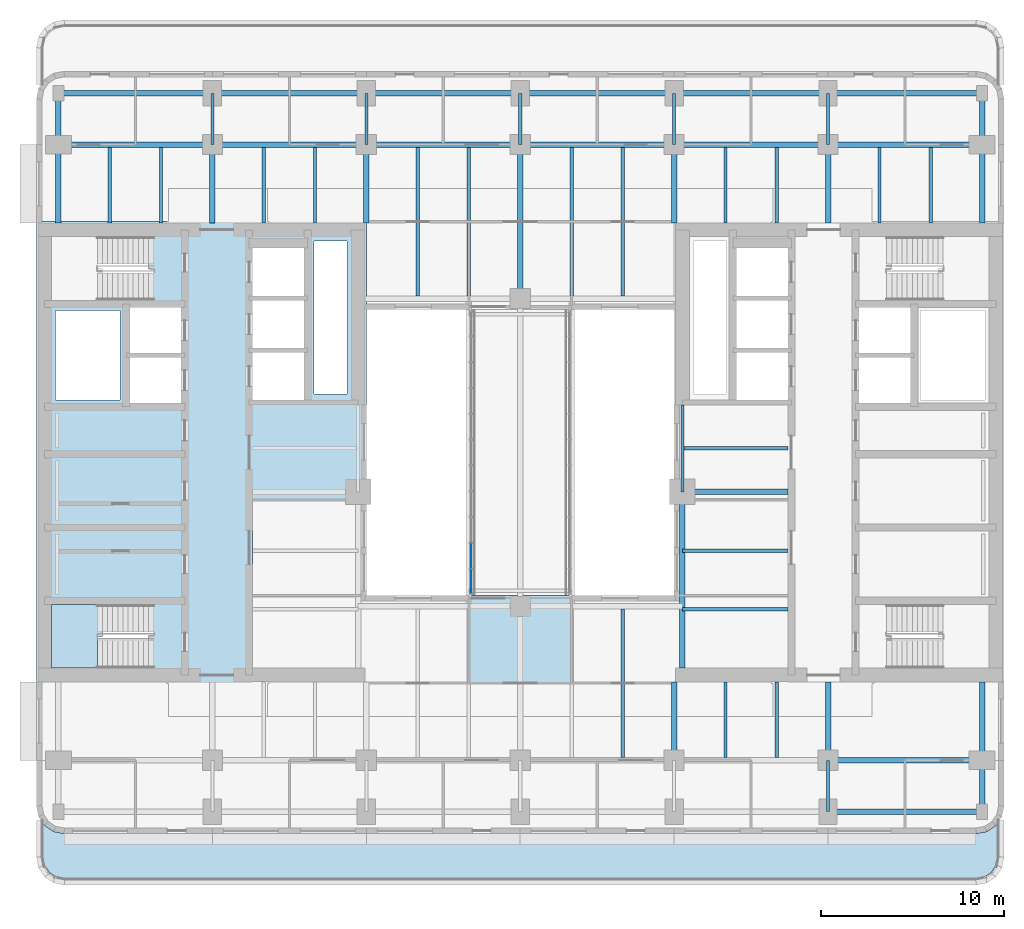
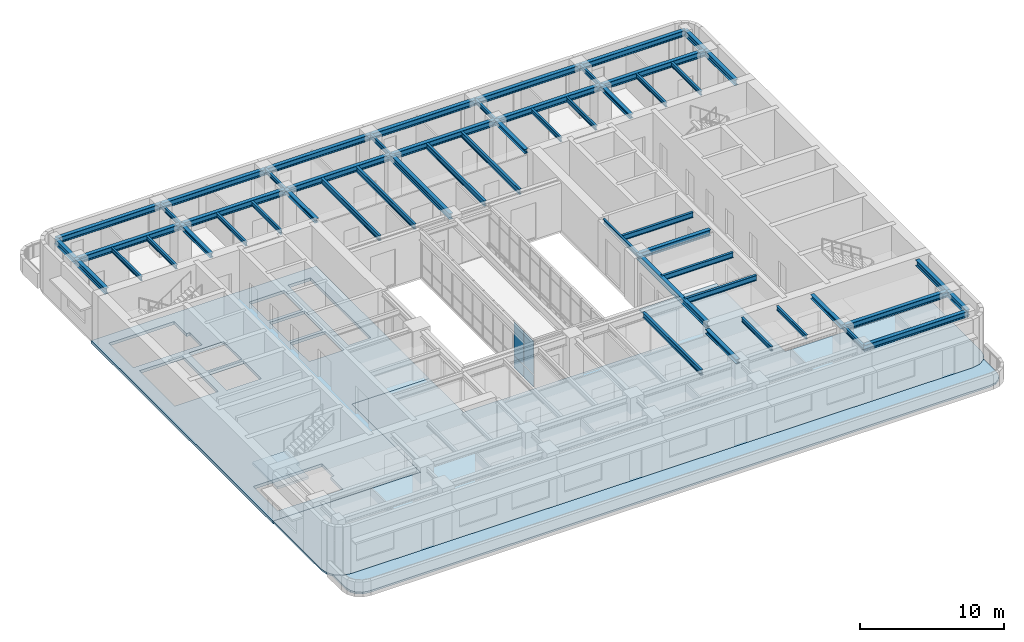
# One storey, part 4 of 15: 54 beams, 4 plates, 4 slabs, 2 elements without a shape of their own.
"""IFC4 building model written with IfcOpenShell, lengths in metres."""

from ifc_helpers import new_model, si_unit, direction, frame, origin, origin_2d, place, context, subcontext, project, spatial, polyline, rectangle, i_section, outline, extrude, material, layer, layer_set, material_profile, profile_set, type_object, element, aggregate, save


model = new_model("IFC4")

# Units and contexts
model_context = context("Model", 3, precision=1e-05, world=origin(), true_north=direction((0.0, 1.0)))
body_context = subcontext(model_context, "Body", "Model", "MODEL_VIEW")
ifc_project = project(units=[si_unit("LENGTHUNIT", "METRE"), si_unit("AREAUNIT", "SQUARE_METRE"), si_unit("VOLUMEUNIT", "CUBIC_METRE"), si_unit("PLANEANGLEUNIT", "RADIAN"), si_unit("MASSUNIT", "GRAM", prefix="KILO")], contexts=[model_context])

# Site, building, storey
site_placement = place(None, origin())
site = spatial("IfcSite", under=ifc_project, at=site_placement, CompositionType="ELEMENT")
building_placement = place(site_placement, origin())
building = spatial("IfcBuilding", under=site, at=building_placement, Name="Claustro Exchange Tower", CompositionType="ELEMENT")
storey_placement = place(building_placement, frame((0.0, 0.0, 173.39990234375)))
storey = spatial("IfcBuildingStorey", under=building, at=storey_placement, Name="L39", CompositionType="ELEMENT", Elevation=173.39990234375)

# Beams
ifc_material_1 = material(Name="Steel S355", Category="steel")
ifc_material_profile_1 = material_profile(ifc_material_1, i_section(OverallWidth=0.169921875, OverallDepth=0.360107421875, WebThickness=0.008056640625, FlangeThickness=0.0126953125, FilletRadius=0.01806640625, at=origin_2d()), Name="IPE 360")
ifc_profile_set_1 = profile_set([ifc_material_profile_1], Name="Steel S355")
beam_type_1 = type_object("IfcBeamType", Name="B16 IPE 360 short-span beam", PredefinedType="BEAM", material=ifc_profile_set_1)
for number, where, z_axis, x_axis, name in (
    (1, (8.39990234375, 42.0, 3.8701171875), (0.0, 1.0, 0.0), (-1.0, 0.0, 0.0), "Beam B16 L40"),
    (2, (16.800048828125, 42.0, 3.8701171875), (0.0, 1.0, 0.0), (-1.0, 0.0, 0.0), "Beam B16 L40"),
    (3, (25.199951171875, 42.0, 3.8701171875), (0.0, 1.0, 0.0), (-1.0, 0.0, 0.0), "Beam B16 L40"),
    (4, (33.60009765625, 42.0, 3.8701171875), (0.0, 1.0, 0.0), (-1.0, 0.0, 0.0), "Beam B16 L40"),
):
    element("IfcBeam", number, at=place(storey_placement, frame(where, z_axis=z_axis, x_axis=x_axis)), inside=storey, type_object=beam_type_1, Name=name, PredefinedType="BEAM", context=body_context, shape_type="SweptSolid", body=[
        extrude(i_section(OverallWidth=0.169921875, OverallDepth=0.360107421875, WebThickness=0.008056640625, FlangeThickness=0.0126953125, FilletRadius=0.01806640625, at=origin_2d()), origin(), (0.0, 0.0, 1.0), 2.800048828125),
    ])
beam_1_placement = place(storey_placement, frame((42.0, 5.60009765625, 3.8701171875), z_axis=(0.0, 1.0, 0.0), x_axis=(-1.0, 0.0, 0.0)))
element("IfcBeam", 5, at=beam_1_placement, inside=storey, type_object=beam_type_1, Name="Beam B16 L40", PredefinedType="BEAM", context=body_context, shape_type="SweptSolid", body=[
    extrude(i_section(OverallWidth=0.169921875, OverallDepth=0.360107421875, WebThickness=0.008056640625, FlangeThickness=0.0126953125, FilletRadius=0.01806640625, at=origin_2d()), origin(), (0.0, 0.0, 1.0), 2.7998046875),
])
beam_2_placement = place(storey_placement, frame((42.0, 42.0, 3.8701171875), z_axis=(0.0, 1.0, 0.0), x_axis=(-1.0, 0.0, 0.0)))
element("IfcBeam", 6, at=beam_2_placement, inside=storey, type_object=beam_type_1, Name="Beam B16 L40", PredefinedType="BEAM", context=body_context, shape_type="SweptSolid", body=[
    extrude(i_section(OverallWidth=0.169921875, OverallDepth=0.360107421875, WebThickness=0.008056640625, FlangeThickness=0.0126953125, FilletRadius=0.01806640625, at=origin_2d()), origin(), (0.0, 0.0, 1.0), 2.800048828125),
])
for number, where, z_axis, x_axis, name in (
    (7, (2.800048828125, 37.72509765625, 3.8701171875), (0.0, 1.0, 0.0), (-1.0, 0.0, 0.0), "Beam B16 L40"),
    (8, (5.60009765625, 37.72509765625, 3.8701171875), (0.0, 1.0, 0.0), (-1.0, 0.0, 0.0), "Beam B16 L40"),
    (9, (11.199951171875, 37.72509765625, 3.8701171875), (0.0, 1.0, 0.0), (-1.0, 0.0, 0.0), "Beam B16 L40"),
    (10, (14.0, 37.72509765625, 3.8701171875), (0.0, 1.0, 0.0), (-1.0, 0.0, 0.0), "Beam B16 L40"),
    (11, (36.39990234375, 8.550048828125, 3.8701171875), (0.0, 1.0, 0.0), (-1.0, 0.0, 0.0), "Beam B16 L40"),
    (12, (39.199951171875, 8.550048828125, 3.8701171875), (0.0, 1.0, 0.0), (-1.0, 0.0, 0.0), "Beam B16 L40"),
    (13, (36.39990234375, 37.72509765625, 3.8701171875), (0.0, 1.0, 0.0), (-1.0, 0.0, 0.0), "Beam B16 L40"),
    (14, (39.199951171875, 37.72509765625, 3.8701171875), (0.0, 1.0, 0.0), (-1.0, 0.0, 0.0), "Beam B16 L40"),
    (15, (44.800048828125, 37.72509765625, 3.8701171875), (0.0, 1.0, 0.0), (-1.0, 0.0, 0.0), "Beam B16 L40"),
    (16, (47.60009765625, 37.72509765625, 3.8701171875), (0.0, 1.0, 0.0), (-1.0, 0.0, 0.0), "Beam B16 L40"),
):
    element("IfcBeam", number, at=place(storey_placement, frame(where, z_axis=z_axis, x_axis=x_axis)), inside=storey, type_object=beam_type_1, Name=name, PredefinedType="BEAM", context=body_context, shape_type="SweptSolid", body=[
        extrude(i_section(OverallWidth=0.169921875, OverallDepth=0.360107421875, WebThickness=0.008056640625, FlangeThickness=0.0126953125, FilletRadius=0.01806640625, at=origin_2d()), origin(), (0.0, 0.0, 1.0), 4.125),
    ])
beam_3_placement = place(storey_placement, frame((34.050048828125, 23.050048828125, 3.8701171875), z_axis=(0.0, 1.0, 0.0), x_axis=(-1.0, 0.0, 0.0)))
element("IfcBeam", 17, at=beam_3_placement, inside=storey, type_object=beam_type_1, Name="Beam B16 core step framing L40", PredefinedType="BEAM", context=body_context, shape_type="SweptSolid", body=[
    extrude(i_section(OverallWidth=0.169921875, OverallDepth=0.360107421875, WebThickness=0.008056640625, FlangeThickness=0.0126953125, FilletRadius=0.01806640625, at=origin_2d()), origin(), (0.0, 0.0, 1.0), 4.75),
])
ifc_material_2 = material(Name="Steel S355", Category="steel")
ifc_material_profile_2 = material_profile(ifc_material_2, i_section(OverallWidth=0.300048828125, OverallDepth=0.360107421875, WebThickness=0.012451171875, FlangeThickness=0.0224609375, FilletRadius=0.027099609375, at=origin_2d()), Name="HE 360 B")
ifc_profile_set_2 = profile_set([ifc_material_profile_2], Name="Steel S355")
beam_type_2 = type_object("IfcBeamType", Name="B29 HE 360 B column to core link beam", PredefinedType="BEAM", material=ifc_profile_set_2)
for number, where, z_axis, x_axis, name in (
    (18, (8.39990234375, 37.72509765625, 3.8701171875), (0.0, 1.0, 0.0), (-1.0, 0.0, 0.0), "Beam B29 L40"),
    (19, (16.800048828125, 37.72509765625, 3.8701171875), (0.0, 1.0, 0.0), (-1.0, 0.0, 0.0), "Beam B29 L40"),
):
    element("IfcBeam", number, at=place(storey_placement, frame(where, z_axis=z_axis, x_axis=x_axis)), inside=storey, type_object=beam_type_2, Name=name, PredefinedType="BEAM", context=body_context, shape_type="SweptSolid", body=[
        extrude(i_section(OverallWidth=0.300048828125, OverallDepth=0.360107421875, WebThickness=0.012451171875, FlangeThickness=0.0224609375, FilletRadius=0.027099609375, at=origin_2d()), origin(), (0.0, 0.0, 1.0), 4.27490234375),
    ])
beam_4_placement = place(storey_placement, frame((33.60009765625, 8.39990234375, 3.8701171875), z_axis=(0.0, 1.0, 0.0), x_axis=(-1.0, 0.0, 0.0)))
element("IfcBeam", 20, at=beam_4_placement, inside=storey, type_object=beam_type_2, Name="Beam B29 L40", PredefinedType="BEAM", context=body_context, shape_type="SweptSolid", body=[
    extrude(i_section(OverallWidth=0.300048828125, OverallDepth=0.360107421875, WebThickness=0.012451171875, FlangeThickness=0.0224609375, FilletRadius=0.027099609375, at=origin_2d()), origin(), (0.0, 0.0, 1.0), 4.275146484375),
])
beam_5_placement = place(storey_placement, frame((33.60009765625, 37.72509765625, 3.8701171875), z_axis=(0.0, 1.0, 0.0), x_axis=(-1.0, 0.0, 0.0)))
element("IfcBeam", 21, at=beam_5_placement, inside=storey, type_object=beam_type_2, Name="Beam B29 L40", PredefinedType="BEAM", context=body_context, shape_type="SweptSolid", body=[
    extrude(i_section(OverallWidth=0.300048828125, OverallDepth=0.360107421875, WebThickness=0.012451171875, FlangeThickness=0.0224609375, FilletRadius=0.027099609375, at=origin_2d()), origin(), (0.0, 0.0, 1.0), 4.27490234375),
])
beam_6_placement = place(storey_placement, frame((42.0, 8.39990234375, 3.8701171875), z_axis=(0.0, 1.0, 0.0), x_axis=(-1.0, 0.0, 0.0)))
element("IfcBeam", 22, at=beam_6_placement, inside=storey, type_object=beam_type_2, Name="Beam B29 L40", PredefinedType="BEAM", context=body_context, shape_type="SweptSolid", body=[
    extrude(i_section(OverallWidth=0.300048828125, OverallDepth=0.360107421875, WebThickness=0.012451171875, FlangeThickness=0.0224609375, FilletRadius=0.027099609375, at=origin_2d()), origin(), (0.0, 0.0, 1.0), 4.275146484375),
])
beam_7_placement = place(storey_placement, frame((42.0, 37.72509765625, 3.8701171875), z_axis=(0.0, 1.0, 0.0), x_axis=(-1.0, 0.0, 0.0)))
element("IfcBeam", 23, at=beam_7_placement, inside=storey, type_object=beam_type_2, Name="Beam B29 L40", PredefinedType="BEAM", context=body_context, shape_type="SweptSolid", body=[
    extrude(i_section(OverallWidth=0.300048828125, OverallDepth=0.360107421875, WebThickness=0.012451171875, FlangeThickness=0.0224609375, FilletRadius=0.027099609375, at=origin_2d()), origin(), (0.0, 0.0, 1.0), 4.27490234375),
])
ifc_material_3 = material(Name="Steel S355", Category="steel")
ifc_material_profile_3 = material_profile(ifc_material_3, i_section(OverallWidth=0.300048828125, OverallDepth=0.5, WebThickness=0.014404296875, FlangeThickness=0.028076171875, FilletRadius=0.027099609375, at=origin_2d()), Name="HE 500 B")
ifc_profile_set_3 = profile_set([ifc_material_profile_3], Name="Steel S355")
beam_type_3 = type_object("IfcBeamType", Name="B7 HE 500 B floor girder", PredefinedType="BEAM", material=ifc_profile_set_3)
for number, where, z_axis, x_axis, name in (
    (24, (25.199951171875, 33.60009765625, 3.800048828125), (0.0, 1.0, 0.0), (-1.0, 0.0, 0.0), "Beam B7 L40"),
    (25, (42.0, 8.39990234375, 3.800048828125), (1.0, 0.0, 0.0), (0.0, 1.0, 0.0), "Beam B7 L40"),
    (26, (0.0, 42.0, 3.800048828125), (1.0, 0.0, 0.0), (0.0, 1.0, 0.0), "Beam B7 L40"),
):
    element("IfcBeam", number, at=place(storey_placement, frame(where, z_axis=z_axis, x_axis=x_axis)), inside=storey, type_object=beam_type_3, Name=name, PredefinedType="BEAM", context=body_context, shape_type="SweptSolid", body=[
        extrude(i_section(OverallWidth=0.300048828125, OverallDepth=0.5, WebThickness=0.014404296875, FlangeThickness=0.028076171875, FilletRadius=0.027099609375, at=origin_2d()), origin(), (0.0, 0.0, 1.0), 8.39990234375),
    ])
beam_8_placement = place(storey_placement, frame((8.39990234375, 42.0, 3.800048828125), z_axis=(1.0, 0.0, 0.0), x_axis=(0.0, 1.0, 0.0)))
element("IfcBeam", 27, at=beam_8_placement, inside=storey, type_object=beam_type_3, Name="Beam B7 L40", PredefinedType="BEAM", context=body_context, shape_type="SweptSolid", body=[
    extrude(i_section(OverallWidth=0.300048828125, OverallDepth=0.5, WebThickness=0.014404296875, FlangeThickness=0.028076171875, FilletRadius=0.027099609375, at=origin_2d()), origin(), (0.0, 0.0, 1.0), 8.400146484375),
])
beam_9_placement = place(storey_placement, frame((16.800048828125, 42.0, 3.800048828125), z_axis=(1.0, 0.0, 0.0), x_axis=(0.0, 1.0, 0.0)))
element("IfcBeam", 28, at=beam_9_placement, inside=storey, type_object=beam_type_3, Name="Beam B7 L40", PredefinedType="BEAM", context=body_context, shape_type="SweptSolid", body=[
    extrude(i_section(OverallWidth=0.300048828125, OverallDepth=0.5, WebThickness=0.014404296875, FlangeThickness=0.028076171875, FilletRadius=0.027099609375, at=origin_2d()), origin(), (0.0, 0.0, 1.0), 8.39990234375),
])
beam_10_placement = place(storey_placement, frame((25.199951171875, 42.0, 3.800048828125), z_axis=(1.0, 0.0, 0.0), x_axis=(0.0, 1.0, 0.0)))
element("IfcBeam", 29, at=beam_10_placement, inside=storey, type_object=beam_type_3, Name="Beam B7 L40", PredefinedType="BEAM", context=body_context, shape_type="SweptSolid", body=[
    extrude(i_section(OverallWidth=0.300048828125, OverallDepth=0.5, WebThickness=0.014404296875, FlangeThickness=0.028076171875, FilletRadius=0.027099609375, at=origin_2d()), origin(), (0.0, 0.0, 1.0), 8.400146484375),
])
for number, where, z_axis, x_axis, name in (
    (30, (33.60009765625, 42.0, 3.800048828125), (1.0, 0.0, 0.0), (0.0, 1.0, 0.0), "Beam B7 L40"),
    (31, (42.0, 42.0, 3.800048828125), (1.0, 0.0, 0.0), (0.0, 1.0, 0.0), "Beam B7 L40"),
):
    element("IfcBeam", number, at=place(storey_placement, frame(where, z_axis=z_axis, x_axis=x_axis)), inside=storey, type_object=beam_type_3, Name=name, PredefinedType="BEAM", context=body_context, shape_type="SweptSolid", body=[
        extrude(i_section(OverallWidth=0.300048828125, OverallDepth=0.5, WebThickness=0.014404296875, FlangeThickness=0.028076171875, FilletRadius=0.027099609375, at=origin_2d()), origin(), (0.0, 0.0, 1.0), 8.39990234375),
    ])
beam_11_placement = place(storey_placement, frame((34.050048828125, 23.050048828125, 3.800048828125), z_axis=(1.0, 0.0, 0.0), x_axis=(0.0, 1.0, 0.0)))
element("IfcBeam", 32, at=beam_11_placement, inside=storey, type_object=beam_type_3, Name="Beam B7 core step framing L40", PredefinedType="BEAM", context=body_context, shape_type="SweptSolid", body=[
    extrude(i_section(OverallWidth=0.300048828125, OverallDepth=0.5, WebThickness=0.014404296875, FlangeThickness=0.028076171875, FilletRadius=0.027099609375, at=origin_2d()), origin(), (0.0, 0.0, 1.0), 5.75),
])
beam_12_placement = place(storey_placement, frame((34.050048828125, 13.425048828125, 3.800048828125), z_axis=(0.0, 1.0, 0.0), x_axis=(-1.0, 0.0, 0.0)))
element("IfcBeam", 33, at=beam_12_placement, inside=storey, type_object=beam_type_3, Name="Beam B7 core step framing L40", PredefinedType="BEAM", context=body_context, shape_type="SweptSolid", body=[
    extrude(i_section(OverallWidth=0.300048828125, OverallDepth=0.5, WebThickness=0.014404296875, FlangeThickness=0.028076171875, FilletRadius=0.027099609375, at=origin_2d()), origin(), (0.0, 0.0, 1.0), 9.625),
])
ifc_material_4 = material(Name="Steel S355", Category="steel")
ifc_material_profile_4 = material_profile(ifc_material_4, i_section(OverallWidth=0.18994140625, OverallDepth=0.449951171875, WebThickness=0.009521484375, FlangeThickness=0.0146484375, FilletRadius=0.02099609375, at=origin_2d()), Name="IPE 450")
ifc_profile_set_4 = profile_set([ifc_material_profile_4], Name="Steel S355")
beam_type_4 = type_object("IfcBeamType", Name="B8 IPE 450 secondary beam", PredefinedType="BEAM", material=ifc_profile_set_4)
for number, where, z_axis, x_axis, name in (
    (34, (19.60009765625, 33.75, 3.8251953125), (0.0, 1.0, 0.0), (-1.0, 0.0, 0.0), "Beam B8 L40"),
    (35, (22.39990234375, 33.75, 3.8251953125), (0.0, 1.0, 0.0), (-1.0, 0.0, 0.0), "Beam B8 L40"),
):
    element("IfcBeam", number, at=place(storey_placement, frame(where, z_axis=z_axis, x_axis=x_axis)), inside=storey, type_object=beam_type_4, Name=name, PredefinedType="BEAM", context=body_context, shape_type="SweptSolid", body=[
        extrude(i_section(OverallWidth=0.18994140625, OverallDepth=0.449951171875, WebThickness=0.009521484375, FlangeThickness=0.0146484375, FilletRadius=0.02099609375, at=origin_2d()), origin(), (0.0, 0.0, 1.0), 8.10009765625),
    ])
beam_13_placement = place(storey_placement, frame((30.800048828125, 8.550048828125, 3.8251953125), z_axis=(0.0, 1.0, 0.0), x_axis=(-1.0, 0.0, 0.0)))
element("IfcBeam", 36, at=beam_13_placement, inside=storey, type_object=beam_type_4, Name="Beam B8 L40", PredefinedType="BEAM", context=body_context, shape_type="SweptSolid", body=[
    extrude(i_section(OverallWidth=0.18994140625, OverallDepth=0.449951171875, WebThickness=0.009521484375, FlangeThickness=0.0146484375, FilletRadius=0.02099609375, at=origin_2d()), origin(), (0.0, 0.0, 1.0), 8.099853515625),
])
for number, where, z_axis, x_axis, name in (
    (37, (28.0, 33.75, 3.8251953125), (0.0, 1.0, 0.0), (-1.0, 0.0, 0.0), "Beam B8 L40"),
    (38, (30.800048828125, 33.75, 3.8251953125), (0.0, 1.0, 0.0), (-1.0, 0.0, 0.0), "Beam B8 L40"),
):
    element("IfcBeam", number, at=place(storey_placement, frame(where, z_axis=z_axis, x_axis=x_axis)), inside=storey, type_object=beam_type_4, Name=name, PredefinedType="BEAM", context=body_context, shape_type="SweptSolid", body=[
        extrude(i_section(OverallWidth=0.18994140625, OverallDepth=0.449951171875, WebThickness=0.009521484375, FlangeThickness=0.0146484375, FilletRadius=0.02099609375, at=origin_2d()), origin(), (0.0, 0.0, 1.0), 8.10009765625),
    ])
for number, where, z_axis, x_axis, name in (
    (39, (34.050048828125, 16.63330078125, 3.8251953125), (1.0, 0.0, 0.0), (0.0, 1.0, 0.0), "Beam B8 core step framing L40"),
    (40, (34.050048828125, 19.841796875, 3.8251953125), (1.0, 0.0, 0.0), (0.0, 1.0, 0.0), "Beam B8 core step framing L40"),
    (41, (34.050048828125, 25.425048828125, 3.8251953125), (1.0, 0.0, 0.0), (0.0, 1.0, 0.0), "Beam B8 core step framing L40"),
):
    element("IfcBeam", number, at=place(storey_placement, frame(where, z_axis=z_axis, x_axis=x_axis)), inside=storey, type_object=beam_type_4, Name=name, PredefinedType="BEAM", context=body_context, shape_type="SweptSolid", body=[
        extrude(i_section(OverallWidth=0.18994140625, OverallDepth=0.449951171875, WebThickness=0.009521484375, FlangeThickness=0.0146484375, FilletRadius=0.02099609375, at=origin_2d()), origin(), (0.0, 0.0, 1.0), 5.75),
    ])
ifc_material_5 = material(Name="Steel S355", Category="steel")
ifc_material_profile_5 = material_profile(ifc_material_5, i_section(OverallWidth=0.300048828125, OverallDepth=0.489990234375, WebThickness=0.011962890625, FlangeThickness=0.02294921875, FilletRadius=0.027099609375, at=origin_2d()), Name="HE 500 A")
ifc_profile_set_5 = profile_set([ifc_material_profile_5], Name="Steel S355")
beam_type_5 = type_object("IfcBeamType", Name="B9 HE 500 A spandrel edge girder", PredefinedType="SPANDREL", material=ifc_profile_set_5)
beam_14_placement = place(storey_placement, frame((0.0, 37.72509765625, 3.80517578125), z_axis=(0.0, 1.0, 0.0), x_axis=(-1.0, 0.0, 0.0)))
element("IfcBeam", 42, at=beam_14_placement, inside=storey, type_object=beam_type_5, Name="Beam B9 L40", PredefinedType="SPANDREL", context=body_context, shape_type="SweptSolid", body=[
    extrude(i_section(OverallWidth=0.300048828125, OverallDepth=0.489990234375, WebThickness=0.011962890625, FlangeThickness=0.02294921875, FilletRadius=0.027099609375, at=origin_2d()), origin(), (0.0, 0.0, 1.0), 4.27490234375),
])
beam_15_placement = place(storey_placement, frame((0.0, 42.0, 3.80517578125), z_axis=(0.0, 1.0, 0.0), x_axis=(-1.0, 0.0, 0.0)))
element("IfcBeam", 43, at=beam_15_placement, inside=storey, type_object=beam_type_5, Name="Beam B9 L40", PredefinedType="SPANDREL", context=body_context, shape_type="SweptSolid", body=[
    extrude(i_section(OverallWidth=0.300048828125, OverallDepth=0.489990234375, WebThickness=0.011962890625, FlangeThickness=0.02294921875, FilletRadius=0.027099609375, at=origin_2d()), origin(), (0.0, 0.0, 1.0), 2.800048828125),
])
beam_16_placement = place(storey_placement, frame((50.39990234375, 5.60009765625, 3.80517578125), z_axis=(0.0, 1.0, 0.0), x_axis=(-1.0, 0.0, 0.0)))
element("IfcBeam", 44, at=beam_16_placement, inside=storey, type_object=beam_type_5, Name="Beam B9 L40", PredefinedType="SPANDREL", context=body_context, shape_type="SweptSolid", body=[
    extrude(i_section(OverallWidth=0.300048828125, OverallDepth=0.489990234375, WebThickness=0.011962890625, FlangeThickness=0.02294921875, FilletRadius=0.027099609375, at=origin_2d()), origin(), (0.0, 0.0, 1.0), 2.7998046875),
])
beam_17_placement = place(storey_placement, frame((50.39990234375, 8.39990234375, 3.80517578125), z_axis=(0.0, 1.0, 0.0), x_axis=(-1.0, 0.0, 0.0)))
element("IfcBeam", 45, at=beam_17_placement, inside=storey, type_object=beam_type_5, Name="Beam B9 L40", PredefinedType="SPANDREL", context=body_context, shape_type="SweptSolid", body=[
    extrude(i_section(OverallWidth=0.300048828125, OverallDepth=0.489990234375, WebThickness=0.011962890625, FlangeThickness=0.02294921875, FilletRadius=0.027099609375, at=origin_2d()), origin(), (0.0, 0.0, 1.0), 4.275146484375),
])
beam_18_placement = place(storey_placement, frame((50.39990234375, 37.72509765625, 3.80517578125), z_axis=(0.0, 1.0, 0.0), x_axis=(-1.0, 0.0, 0.0)))
element("IfcBeam", 46, at=beam_18_placement, inside=storey, type_object=beam_type_5, Name="Beam B9 L40", PredefinedType="SPANDREL", context=body_context, shape_type="SweptSolid", body=[
    extrude(i_section(OverallWidth=0.300048828125, OverallDepth=0.489990234375, WebThickness=0.011962890625, FlangeThickness=0.02294921875, FilletRadius=0.027099609375, at=origin_2d()), origin(), (0.0, 0.0, 1.0), 4.27490234375),
])
beam_19_placement = place(storey_placement, frame((50.39990234375, 42.0, 3.80517578125), z_axis=(0.0, 1.0, 0.0), x_axis=(-1.0, 0.0, 0.0)))
element("IfcBeam", 47, at=beam_19_placement, inside=storey, type_object=beam_type_5, Name="Beam B9 L40", PredefinedType="SPANDREL", context=body_context, shape_type="SweptSolid", body=[
    extrude(i_section(OverallWidth=0.300048828125, OverallDepth=0.489990234375, WebThickness=0.011962890625, FlangeThickness=0.02294921875, FilletRadius=0.027099609375, at=origin_2d()), origin(), (0.0, 0.0, 1.0), 2.800048828125),
])
for number, where, z_axis, x_axis, name in (
    (48, (42.0, 5.60009765625, 3.80517578125), (1.0, 0.0, 0.0), (0.0, 1.0, 0.0), "Beam B9 L40"),
    (49, (0.0, 44.800048828125, 3.80517578125), (1.0, 0.0, 0.0), (0.0, 1.0, 0.0), "Beam B9 L40"),
):
    element("IfcBeam", number, at=place(storey_placement, frame(where, z_axis=z_axis, x_axis=x_axis)), inside=storey, type_object=beam_type_5, Name=name, PredefinedType="SPANDREL", context=body_context, shape_type="SweptSolid", body=[
        extrude(i_section(OverallWidth=0.300048828125, OverallDepth=0.489990234375, WebThickness=0.011962890625, FlangeThickness=0.02294921875, FilletRadius=0.027099609375, at=origin_2d()), origin(), (0.0, 0.0, 1.0), 8.39990234375),
    ])
beam_20_placement = place(storey_placement, frame((8.39990234375, 44.800048828125, 3.80517578125), z_axis=(1.0, 0.0, 0.0), x_axis=(0.0, 1.0, 0.0)))
element("IfcBeam", 50, at=beam_20_placement, inside=storey, type_object=beam_type_5, Name="Beam B9 L40", PredefinedType="SPANDREL", context=body_context, shape_type="SweptSolid", body=[
    extrude(i_section(OverallWidth=0.300048828125, OverallDepth=0.489990234375, WebThickness=0.011962890625, FlangeThickness=0.02294921875, FilletRadius=0.027099609375, at=origin_2d()), origin(), (0.0, 0.0, 1.0), 8.400146484375),
])
beam_21_placement = place(storey_placement, frame((16.800048828125, 44.800048828125, 3.80517578125), z_axis=(1.0, 0.0, 0.0), x_axis=(0.0, 1.0, 0.0)))
element("IfcBeam", 51, at=beam_21_placement, inside=storey, type_object=beam_type_5, Name="Beam B9 L40", PredefinedType="SPANDREL", context=body_context, shape_type="SweptSolid", body=[
    extrude(i_section(OverallWidth=0.300048828125, OverallDepth=0.489990234375, WebThickness=0.011962890625, FlangeThickness=0.02294921875, FilletRadius=0.027099609375, at=origin_2d()), origin(), (0.0, 0.0, 1.0), 8.39990234375),
])
beam_22_placement = place(storey_placement, frame((25.199951171875, 44.800048828125, 3.80517578125), z_axis=(1.0, 0.0, 0.0), x_axis=(0.0, 1.0, 0.0)))
element("IfcBeam", 52, at=beam_22_placement, inside=storey, type_object=beam_type_5, Name="Beam B9 L40", PredefinedType="SPANDREL", context=body_context, shape_type="SweptSolid", body=[
    extrude(i_section(OverallWidth=0.300048828125, OverallDepth=0.489990234375, WebThickness=0.011962890625, FlangeThickness=0.02294921875, FilletRadius=0.027099609375, at=origin_2d()), origin(), (0.0, 0.0, 1.0), 8.400146484375),
])
for number, where, z_axis, x_axis, name in (
    (53, (33.60009765625, 44.800048828125, 3.80517578125), (1.0, 0.0, 0.0), (0.0, 1.0, 0.0), "Beam B9 L40"),
    (54, (42.0, 44.800048828125, 3.80517578125), (1.0, 0.0, 0.0), (0.0, 1.0, 0.0), "Beam B9 L40"),
):
    element("IfcBeam", number, at=place(storey_placement, frame(where, z_axis=z_axis, x_axis=x_axis)), inside=storey, type_object=beam_type_5, Name=name, PredefinedType="SPANDREL", context=body_context, shape_type="SweptSolid", body=[
        extrude(i_section(OverallWidth=0.300048828125, OverallDepth=0.489990234375, WebThickness=0.011962890625, FlangeThickness=0.02294921875, FilletRadius=0.027099609375, at=origin_2d()), origin(), (0.0, 0.0, 1.0), 8.39990234375),
    ])

# Curtain wall, plates
ifc_material_6 = material(Name="Aluminium frame, clear double glazing", Category="aluminium")
curtain_wall_type = type_object("IfcCurtainWallType", Name="CW2 sky bridge curtain wall", PredefinedType="USERDEFINED", material=ifc_material_6)
curtain_wall_placement = place(storey_placement, origin())
curtain_wall = element("IfcCurtainWall", 55, at=curtain_wall_placement, inside=storey, type_object=curtain_wall_type, Name="Curtain wall CW2 L39", ObjectType="STICK CURTAIN WALL", PredefinedType="USERDEFINED")
ifc_material_7 = material(Name="Clear double glazing", Category="glass")
ifc_layer_1 = layer(ifc_material_7, 0.028076171875)
ifc_layer_set_1 = layer_set([ifc_layer_1], Name="Clear double glazing")
plate_type = type_object("IfcPlateType", Name="CW2-P 28 glazed panel", PredefinedType="CURTAIN_PANEL", material=ifc_layer_set_1)
plate_1_placement = place(storey_placement, frame((22.5, 18.16943359375, 0.06005859375), z_axis=(0.0, 0.0, 1.0), x_axis=(0.0, 1.0, 0.0)))
plate_1 = element("IfcPlate", 56, at=plate_1_placement, type_object=plate_type, Name="CW2 panel 1.1", PredefinedType="CURTAIN_PANEL", context=body_context, shape_type="SweptSolid", body=[
    extrude(rectangle(XDim=1.319091796875, YDim=0.028076171875, at=origin_2d()), origin(), (0.0, 0.0, 1.0), 1.010009765625),
])
plate_2_placement = place(storey_placement, frame((22.5, 18.16943359375, 1.130126953125), z_axis=(0.0, 0.0, 1.0), x_axis=(0.0, 1.0, 0.0)))
plate_2 = element("IfcPlate", 57, at=plate_2_placement, type_object=plate_type, Name="CW2 panel 1.2", PredefinedType="CURTAIN_PANEL", context=body_context, shape_type="SweptSolid", body=[
    extrude(rectangle(XDim=1.319091796875, YDim=0.028076171875, at=origin_2d()), origin(), (0.0, 0.0, 1.0), 2.81005859375),
])
plate_3_placement = place(storey_placement, frame((22.5, 19.563720703125, 0.06005859375), z_axis=(0.0, 0.0, 1.0), x_axis=(0.0, 1.0, 0.0)))
plate_3 = element("IfcPlate", 58, at=plate_3_placement, type_object=plate_type, Name="CW2 panel 2.1", PredefinedType="CURTAIN_PANEL", context=body_context, shape_type="SweptSolid", body=[
    extrude(rectangle(XDim=1.34912109375, YDim=0.028076171875, at=origin_2d()), origin(), (0.0, 0.0, 1.0), 1.010009765625),
])
plate_4_placement = place(storey_placement, frame((22.5, 19.563720703125, 1.130126953125), z_axis=(0.0, 0.0, 1.0), x_axis=(0.0, 1.0, 0.0)))
plate_4 = element("IfcPlate", 59, at=plate_4_placement, type_object=plate_type, Name="CW2 panel 2.2", PredefinedType="CURTAIN_PANEL", context=body_context, shape_type="SweptSolid", body=[
    extrude(rectangle(XDim=1.34912109375, YDim=0.028076171875, at=origin_2d()), origin(), (0.0, 0.0, 1.0), 2.81005859375),
])
aggregate(curtain_wall, [plate_1, plate_2, plate_3, plate_4])

# Slabs
ifc_material_8 = material(Name="Precast concrete HA-30 (C30/37) paving slabs on adjustable pedestals over the inverted roof membrane", Category="concrete")
ifc_layer_2 = layer(ifc_material_8, 0.159912109375)
ifc_layer_set_2 = layer_set([ifc_layer_2], Name="Precast concrete HA-30 (C30/37) paving slabs on adjustable pedestals over the inverted roof membrane")
slab_type_1 = type_object("IfcSlabType", Name="PV2 160 terrace paving on pedestals", PredefinedType="USERDEFINED", material=ifc_layer_set_2)
slab_1_placement = place(storey_placement, frame((0.0, 0.0, -0.159912109375)))
element("IfcSlab", 60, at=slab_1_placement, inside=storey, type_object=slab_type_1, Name="Terrace paving PV2 L39", ObjectType="PAVING", PredefinedType="USERDEFINED", context=body_context, shape_type="SweptSolid", body=[
    extrude(outline(polyline([(51.25, 3.134521484375), (51.25, 4.4541015625), (51.25, 4.47802734375), (51.25, 4.972900390625), (51.16064453125, 4.83935546875), (50.674072265625, 4.51416015625), (50.10009765625, 4.39990234375), (0.300048828125, 4.39990234375), (-0.27392578125, 4.51416015625), (-0.7607421875, 4.83935546875), (-0.85009765625, 4.972900390625), (-0.85009765625, 4.47802734375), (-0.85009765625, 4.4541015625), (-0.85009765625, 3.134521484375), (-0.756103515625, 2.66259765625), (-0.50830078125, 2.29150390625), (-0.137451171875, 2.0439453125), (0.33447265625, 1.949951171875), (50.0654296875, 1.949951171875), (50.53759765625, 2.0439453125), (50.908447265625, 2.29150390625), (51.156005859375, 2.66259765625), (51.25, 3.134521484375)])), origin(), (0.0, 0.0, 1.0), 0.159912109375),
])
ifc_material_9 = material(Name="Concrete HA-50 (C50/60)", Category="concrete")
ifc_layer_3 = layer(ifc_material_9, 0.14990234375)
ifc_layer_set_3 = layer_set([ifc_layer_3], Name="Concrete HA-50 (C50/60)")
slab_type_2 = type_object("IfcSlabType", Name="S2 150 composite floor slab", PredefinedType="FLOOR", material=ifc_layer_set_3)
slab_2_placement = place(storey_placement, frame((0.0, 0.0, -0.14990234375)))
element("IfcSlab", 61, at=slab_2_placement, inside=storey, type_object=slab_type_2, Name="Floor slab S2 S L39", PredefinedType="FLOOR", context=body_context, shape_type="SweptSolid", body=[
    extrude(outline(polyline([(-0.27392578125, 4.51416015625), (0.300048828125, 4.39990234375), (50.10009765625, 4.39990234375), (50.674072265625, 4.51416015625), (51.16064453125, 4.83935546875), (51.48583984375, 5.325927734375), (51.60009765625, 5.89990234375), (51.60009765625, 12.60009765625), (39.800048828125, 12.60009765625), (39.800048828125, 22.10009765625), (33.60009765625, 22.10009765625), (33.60009765625, 17.39990234375), (16.800048828125, 17.39990234375), (16.800048828125, 22.10009765625), (10.60009765625, 22.10009765625), (10.60009765625, 12.60009765625), (-1.199951171875, 12.60009765625), (-1.199951171875, 5.89990234375), (-1.085693359375, 5.325927734375), (-0.7607421875, 4.83935546875), (-0.27392578125, 4.51416015625)])), origin(), (0.0, 0.0, 1.0), 0.14990234375),
])
ifc_material_10 = material(Name="Concrete HA-50 (C50/60)", Category="concrete")
ifc_layer_4 = layer(ifc_material_10, 0.25)
ifc_layer_set_4 = layer_set([ifc_layer_4], Name="Concrete HA-50 (C50/60)")
slab_type_3 = type_object("IfcSlabType", Name="S7 250 core floor slab", PredefinedType="FLOOR", material=ifc_layer_set_4)
slab_3_placement = place(storey_placement, frame((0.0, 0.0, -0.25)))
element("IfcSlab", 62, at=slab_3_placement, inside=storey, type_object=slab_type_3, Name="Core floor slab S7 W core L39", PredefinedType="FLOOR", context=body_context, shape_type="SweptSolid", body=[
    extrude(outline(polyline([(-1.199951171875, 37.800048828125), (-1.199951171875, 12.60009765625), (10.60009765625, 12.60009765625), (10.60009765625, 22.10009765625), (16.800048828125, 22.10009765625), (16.800048828125, 37.800048828125), (-1.199951171875, 37.800048828125)]), holes=[polyline([(13.949951171875, 36.75), (15.75, 36.75), (15.75, 28.39990234375), (13.949951171875, 28.39990234375), (13.949951171875, 36.75)]), polyline([(10.60009765625, 30.64990234375), (13.39990234375, 30.64990234375), (13.39990234375, 28.050048828125), (10.60009765625, 28.050048828125), (10.60009765625, 30.64990234375)]), polyline([(10.60009765625, 33.5), (13.39990234375, 33.5), (13.39990234375, 30.89990234375), (10.60009765625, 30.89990234375), (10.60009765625, 33.5)]), polyline([(13.39990234375, 36.35009765625), (13.39990234375, 33.75), (10.60009765625, 33.75), (10.60009765625, 36.35009765625), (13.39990234375, 36.35009765625)]), polyline([(3.89990234375, 30.375), (6.699951171875, 30.375), (6.699951171875, 27.89990234375), (3.89990234375, 27.89990234375), (3.89990234375, 30.375)]), polyline([(3.89990234375, 33.10009765625), (6.699951171875, 33.10009765625), (6.699951171875, 30.625), (3.89990234375, 30.625), (3.89990234375, 33.10009765625)]), polyline([(-0.300048828125, 15.199951171875), (-0.300048828125, 16.89990234375), (5.195068359375, 16.89990234375), (5.195068359375, 15.199951171875), (4.919921875, 15.199951171875), (4.919921875, 13.5), (-0.300048828125, 13.5), (-0.300048828125, 15.199951171875)]), polyline([(-0.300048828125, 35.199951171875), (-0.300048828125, 36.89990234375), (4.919921875, 36.89990234375), (4.919921875, 35.199951171875), (5.195068359375, 35.199951171875), (5.195068359375, 33.5), (-0.300048828125, 33.5), (-0.300048828125, 35.199951171875)]), polyline([(-0.14990234375, 32.949951171875), (3.35009765625, 32.949951171875), (3.35009765625, 28.050048828125), (-0.14990234375, 28.050048828125), (-0.14990234375, 32.949951171875)])]), origin(), (0.0, 0.0, 1.0), 0.25),
])

# Stair, slab
ifc_material_11 = material(Name="Concrete HA-30 (C30/37), precast", Category="concrete")
stair_type = type_object("IfcStairType", Name="ST1 half-turn stair, 24 risers of 175", PredefinedType="HALF_TURN_STAIR", material=ifc_material_11)
stair_placement = place(storey_placement, origin())
stair = element("IfcStair", 63, at=stair_placement, inside=storey, type_object=stair_type, Name="Stair STWA L39", PredefinedType="HALF_TURN_STAIR")
ifc_material_12 = material(Name="Concrete HA-30 (C30/37), precast", Category="concrete")
ifc_layer_5 = layer(ifc_material_12, 0.199951171875)
ifc_layer_set_5 = layer_set([ifc_layer_5], Name="Concrete HA-30 (C30/37), precast")
slab_type_4 = type_object("IfcSlabType", Name="S9 200 stair landing", PredefinedType="LANDING", material=ifc_layer_set_5)
slab_4_placement = place(storey_placement, frame((0.0, 0.0, 1.900146484375)))
slab_4 = element("IfcSlab", 64, at=slab_4_placement, type_object=slab_type_4, Name="STWA landing 1", PredefinedType="LANDING", context=body_context, shape_type="SweptSolid", body=[
    extrude(outline(polyline([(2.125, 13.425048828125), (-0.375, 13.425048828125), (-0.375, 16.89990234375), (2.1201171875, 16.89990234375), (2.125, 16.89990234375), (2.39990234375, 16.89990234375), (2.39990234375, 15.16259765625), (2.125, 15.16259765625), (2.125, 13.425048828125)])), origin(), (0.0, 0.0, 1.0), 0.199951171875),
])
aggregate(stair, [slab_4])

save(model, "model.ifc")
